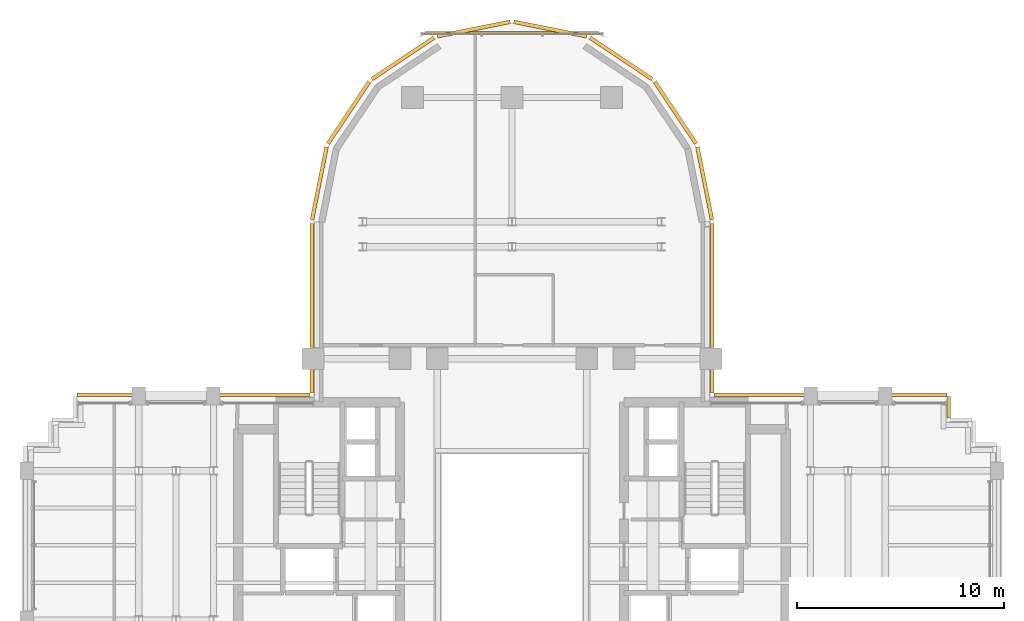
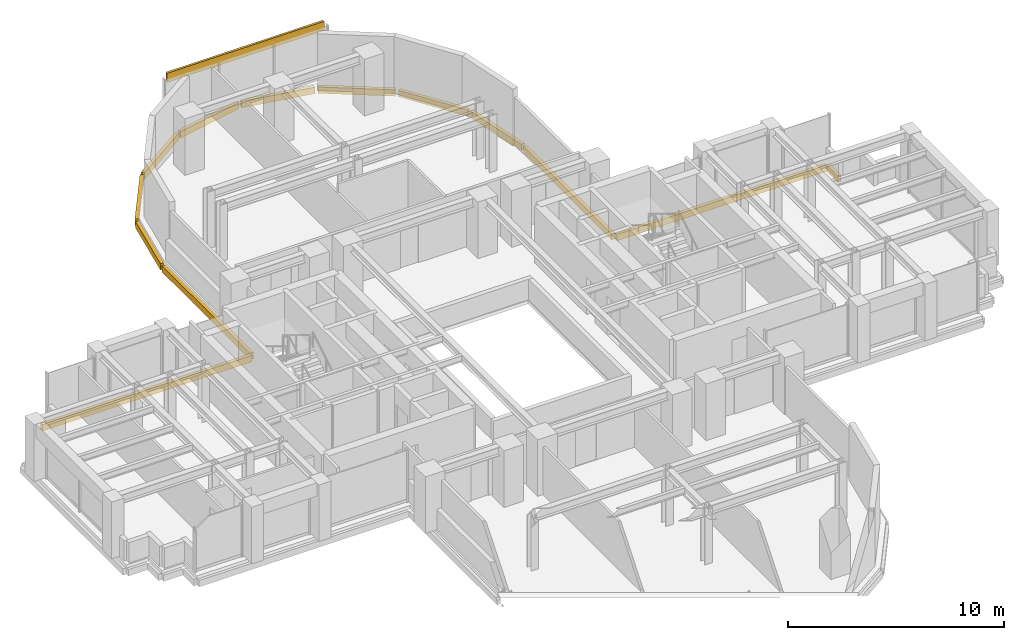
# One storey, part 13 of 13: 14 coverings.
"""IFC4 building model written with IfcOpenShell, lengths in metres."""

from ifc_helpers import new_model, si_unit, direction, frame, origin, origin_2d, place, context, subcontext, project, spatial, rectangle, extrude, source, transform, mapped, material, layer, layer_set, type_object, element, save


model = new_model("IFC4")

# Units and contexts
model_context = context("Model", 3, precision=1e-05, world=origin(), true_north=direction((0.0, 1.0)))
body_context = subcontext(model_context, "Body", "Model", "MODEL_VIEW")
ifc_project = project(units=[si_unit("LENGTHUNIT", "METRE"), si_unit("AREAUNIT", "SQUARE_METRE"), si_unit("VOLUMEUNIT", "CUBIC_METRE"), si_unit("PLANEANGLEUNIT", "RADIAN"), si_unit("MASSUNIT", "GRAM", prefix="KILO")], contexts=[model_context])

# Site, building, storey
site_placement = place(None, origin())
site = spatial("IfcSite", under=ifc_project, at=site_placement, CompositionType="ELEMENT")
building_placement = place(site_placement, origin())
building = spatial("IfcBuilding", under=site, at=building_placement, Name="Keilestroom Media Tower", CompositionType="ELEMENT")
storey_placement = place(building_placement, frame((0.0, 0.0, 144.800048828125)))
storey = spatial("IfcBuildingStorey", under=building, at=storey_placement, Name="L39", CompositionType="ELEMENT", Elevation=144.800048828125)

# Coverings
ifc_material = material(Name="Precast concrete C40/50", Category="concrete")
ifc_layer = layer(ifc_material, 0.1201171875)
ifc_layer_set = layer_set([ifc_layer], Name="Precast concrete C40/50")
covering_type = type_object("IfcCoveringType", Name="Exterior-Precast-Spandrel-Cladding-Panel-120", PredefinedType="CLADDING", material=ifc_layer_set)
shared_shape_1 = source(origin(), body_context, "Body", "SweptSolid", [
    extrude(rectangle(XDim=8.39990234375, YDim=0.1201171875, at=origin_2d()), origin(), (0.0, 0.0, 1.0), 0.52001953125),
])
covering_1_placement = place(storey_placement, frame((0.0, 24.719970703125, 2.68994140625), z_axis=(0.0, 0.0, 1.0), x_axis=(1.0, 0.0, 0.0)))
element("IfcCovering", 1, at=covering_1_placement, inside=storey, type_object=covering_type, Name="L39 Precast Spandrel Cladding N", PredefinedType="CLADDING", context=body_context, shape_type="MappedRepresentation", body=[
    mapped(shared_shape_1, transform((0.0, 0.0, 0.0), x_axis=(1.0, 0.0, 0.0), y_axis=(0.0, 1.0, 0.0), z_axis=(0.0, 0.0, 1.0), scale=1.0)),
])
shared_shape_2 = source(origin(), body_context, "Body", "SweptSolid", [
    extrude(rectangle(XDim=1.02001953125, YDim=0.179931640625, at=origin_2d()), origin(), (0.0, 0.0, 1.0), 0.360107421875),
])
covering_2_placement = place(storey_placement, frame((21.06005859375, 6.659912109375, -0.5400390625), z_axis=(0.0, 0.0, 1.0), x_axis=(0.0, -1.0, 0.0)))
element("IfcCovering", 2, at=covering_2_placement, inside=storey, type_object=covering_type, Name="L39 Precast Slab-Edge Fascia Cornice 38", PredefinedType="CLADDING", context=body_context, shape_type="MappedRepresentation", body=[
    mapped(shared_shape_2, transform((0.0, 0.0, 0.0), x_axis=(1.0, 0.0, 0.0), y_axis=(0.0, 1.0, 0.0), z_axis=(0.0, 0.0, 1.0), scale=1.0)),
])
shared_shape_3 = source(origin(), body_context, "Body", "SweptSolid", [
    extrude(rectangle(XDim=8.166015625, YDim=0.179931640625, at=origin_2d()), origin(), (0.0, 0.0, 1.0), 0.360107421875),
])
for number, where, z_axis, x_axis, name in (
    (3, (-9.659912109375, 11.43310546875, -0.5400390625), (0.0, 0.0, 1.0), (0.0, 1.0, 0.0), "L39 Precast Slab-Edge Fascia Cornice 27"),
    (4, (9.659912109375, 11.43310546875, -0.5400390625), (0.0, 0.0, 1.0), (0.0, -1.0, 0.0), "L39 Precast Slab-Edge Fascia Cornice 36"),
):
    element("IfcCovering", number, at=place(storey_placement, frame(where, z_axis=z_axis, x_axis=x_axis)), inside=storey, type_object=covering_type, Name=name, PredefinedType="CLADDING", context=body_context, shape_type="MappedRepresentation", body=[
        mapped(shared_shape_3, transform((0.0, 0.0, 0.0), x_axis=(1.0, 0.0, 0.0), y_axis=(0.0, 1.0, 0.0), z_axis=(0.0, 0.0, 1.0), scale=1.0)),
    ])
shared_shape_4 = source(origin(), body_context, "Body", "SweptSolid", [
    extrude(rectangle(XDim=3.58349609375, YDim=0.179931640625, at=origin_2d()), origin(), (0.0, 0.0, 1.0), 0.360107421875),
])
for number, where, z_axis, x_axis, name in (
    (5, (-9.29296875, 17.45166015625, -0.5400390625), (0.0, 0.0, 1.0), (0.195098880975, 0.980783577882, 0.0), "L39 Precast Slab-Edge Fascia Cornice 28"),
    (6, (9.29296875, 17.45166015625, -0.5400390625), (0.0, 0.0, 1.0), (0.195098880975, -0.980783577882, 0.0), "L39 Precast Slab-Edge Fascia Cornice 35"),
):
    element("IfcCovering", number, at=place(storey_placement, frame(where, z_axis=z_axis, x_axis=x_axis)), inside=storey, type_object=covering_type, Name=name, PredefinedType="CLADDING", context=body_context, shape_type="MappedRepresentation", body=[
        mapped(shared_shape_4, transform((0.0, 0.0, 0.0), x_axis=(1.0, 0.0, 0.0), y_axis=(0.0, 1.0, 0.0), z_axis=(0.0, 0.0, 1.0), scale=1.0)),
    ])
shared_shape_5 = source(origin(), body_context, "Body", "SweptSolid", [
    extrude(rectangle(XDim=3.589599609375, YDim=0.179931640625, at=origin_2d()), origin(), (0.0, 0.0, 1.0), 0.360107421875),
])
for number, where, z_axis, x_axis, name in (
    (7, (-7.878662109375, 20.8642578125, -0.5400390625), (0.0, 0.0, 1.0), (0.555574586577, 0.831466703332, 0.0), "L39 Precast Slab-Edge Fascia Cornice 29"),
    (8, (-5.264404296875, 23.478515625, -0.5400390625), (0.0, 0.0, 1.0), (0.831466703332, 0.555574586577, 0.0), "L39 Precast Slab-Edge Fascia Cornice 30"),
    (9, (-1.8486328125, 24.893310546875, -0.5400390625), (0.0, 0.0, 1.0), (0.980783577882, 0.195098880975, 0.0), "L39 Precast Slab-Edge Fascia Cornice 31"),
    (10, (1.8486328125, 24.893310546875, -0.5400390625), (0.0, 0.0, 1.0), (0.980783577882, -0.195098880975, 0.0), "L39 Precast Slab-Edge Fascia Cornice 32"),
    (11, (5.264404296875, 23.478515625, -0.5400390625), (0.0, 0.0, 1.0), (0.831466703332, -0.555574586577, 0.0), "L39 Precast Slab-Edge Fascia Cornice 33"),
    (12, (7.878662109375, 20.8642578125, -0.5400390625), (0.0, 0.0, 1.0), (0.555574586577, -0.831466703332, 0.0), "L39 Precast Slab-Edge Fascia Cornice 34"),
):
    element("IfcCovering", number, at=place(storey_placement, frame(where, z_axis=z_axis, x_axis=x_axis)), inside=storey, type_object=covering_type, Name=name, PredefinedType="CLADDING", context=body_context, shape_type="MappedRepresentation", body=[
        mapped(shared_shape_5, transform((0.0, 0.0, 0.0), x_axis=(1.0, 0.0, 0.0), y_axis=(0.0, 1.0, 0.0), z_axis=(0.0, 0.0, 1.0), scale=1.0)),
    ])
shared_shape_6 = source(origin(), body_context, "Body", "SweptSolid", [
    extrude(rectangle(XDim=11.219970703125, YDim=0.179931640625, at=origin_2d()), origin(), (0.0, 0.0, 1.0), 0.360107421875),
])
for number, where, z_axis, x_axis, name in (
    (13, (-15.360107421875, 7.260009765625, -0.5400390625), (0.0, 0.0, 1.0), (1.0, 0.0, 0.0), "L39 Precast Slab-Edge Fascia Cornice 26"),
    (14, (15.360107421875, 7.260009765625, -0.5400390625), (0.0, 0.0, 1.0), (1.0, 0.0, 0.0), "L39 Precast Slab-Edge Fascia Cornice 37"),
):
    element("IfcCovering", number, at=place(storey_placement, frame(where, z_axis=z_axis, x_axis=x_axis)), inside=storey, type_object=covering_type, Name=name, PredefinedType="CLADDING", context=body_context, shape_type="MappedRepresentation", body=[
        mapped(shared_shape_6, transform((0.0, 0.0, 0.0), x_axis=(1.0, 0.0, 0.0), y_axis=(0.0, 1.0, 0.0), z_axis=(0.0, 0.0, 1.0), scale=1.0)),
    ])

save(model, "model.ifc")
